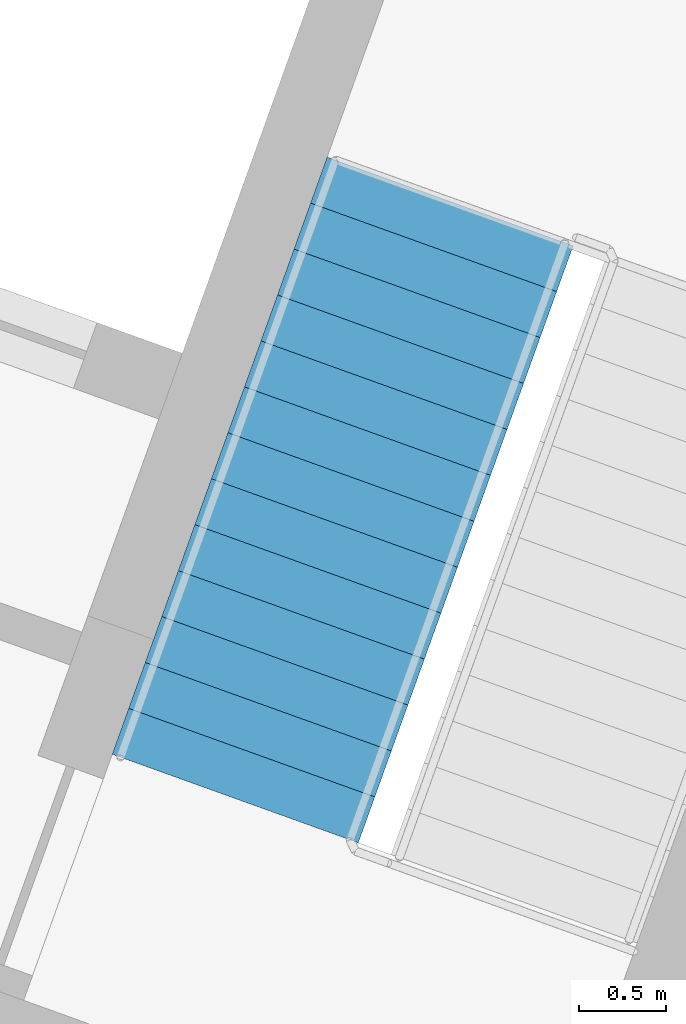
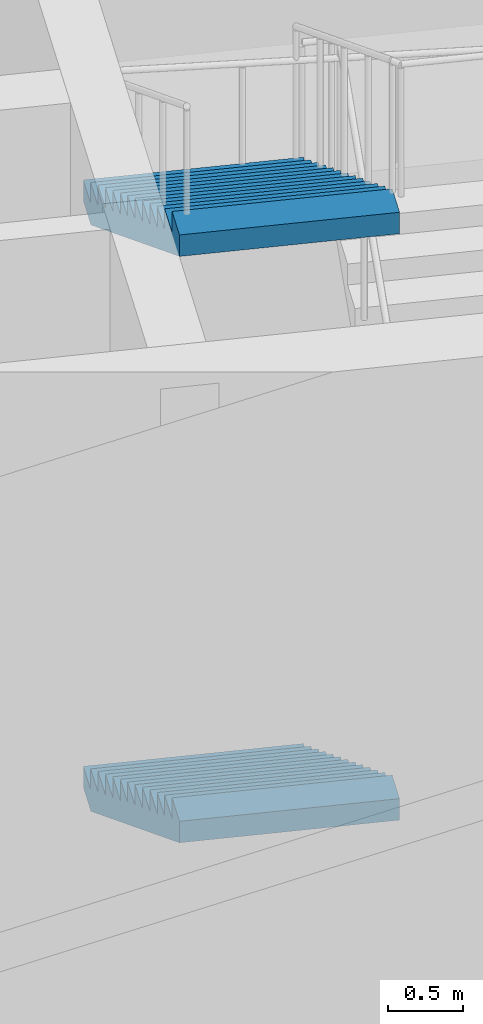
# One storey, part 17 of 20: 2 stair flights, 1 element without a shape of its own.
"""IFC4 building model written with IfcOpenShell, lengths in metres."""

from ifc_helpers import new_model, si_unit, direction, frame, origin, place, context, subcontext, project, spatial, polyline, outline, extrude, material, type_object, element, aggregate, save


model = new_model("IFC4")

# Units and contexts
model_context = context("Model", 3, precision=1e-05, world=origin(), true_north=direction((0.0, 1.0)))
body_context = subcontext(model_context, "Body", "Model", "MODEL_VIEW")
ifc_project = project(units=[si_unit("LENGTHUNIT", "METRE"), si_unit("AREAUNIT", "SQUARE_METRE"), si_unit("VOLUMEUNIT", "CUBIC_METRE"), si_unit("PLANEANGLEUNIT", "RADIAN"), si_unit("MASSUNIT", "GRAM", prefix="KILO")], contexts=[model_context])

# Site, building, storey
site_placement = place(None, origin())
site = spatial("IfcSite", under=ifc_project, at=site_placement, CompositionType="ELEMENT")
building_placement = place(site_placement, origin())
building = spatial("IfcBuilding", under=site, at=building_placement, Name="Stone Belt Terrace Tower", CompositionType="ELEMENT")
storey_placement = place(building_placement, frame((0.0, 0.0, 323.0)))
storey = spatial("IfcBuildingStorey", under=building, at=storey_placement, Name="L78", CompositionType="ELEMENT", Elevation=323.0)

# Stair, stair flights
ifc_material = material(Name="Concrete B40", Category="concrete")
stair_type = type_object("IfcStairType", Name="Exit stair 1500", PredefinedType="HALF_TURN_STAIR", material=ifc_material)
stair_placement = place(storey_placement, origin())
stair = element("IfcStair", 1, at=stair_placement, inside=storey, type_object=stair_type, Name="L78 Exit stair 1 core B", PredefinedType="HALF_TURN_STAIR")
stair_flight_type = type_object("IfcStairFlightType", Name="Stair flight 1500", PredefinedType="STRAIGHT", material=ifc_material)
stair_flight_1_placement = place(storey_placement, frame((24.785888671875, 48.93798828125, 2.39990234375), z_axis=(0.0, 0.0, 1.0), x_axis=(-0.338624396177, -0.940921632398, 0.0)))
stair_flight_1 = element("IfcStairFlight", 2, at=stair_flight_1_placement, type_object=stair_flight_type, Name="ST1B flight 2", NumberOfRisers=14, NumberOfTreads=13, PredefinedType="STRAIGHT", RiserHeight=0.171428571, TreadLength=0.28, context=body_context, shape_type="SweptSolid", body=[
    extrude(outline(polyline([(0.0, 0.0), (0.0, 0.17138671875), (0.280029296875, 0.17138671875), (0.280029296875, 0.3427734375), (0.56005859375, 0.3427734375), (0.56005859375, 0.514404296875), (0.840087890625, 0.514404296875), (0.840087890625, 0.685791015625), (1.1201171875, 0.685791015625), (1.1201171875, 0.857177734375), (1.39990234375, 0.857177734375), (1.39990234375, 1.028564453125), (1.679931640625, 1.028564453125), (1.679931640625, 1.199951171875), (1.9599609375, 1.199951171875), (1.9599609375, 1.371337890625), (2.239990234375, 1.371337890625), (2.239990234375, 1.54296875), (2.52001953125, 1.54296875), (2.52001953125, 1.71435546875), (2.800048828125, 1.71435546875), (2.800048828125, 1.8857421875), (3.080078125, 1.8857421875), (3.080078125, 2.05712890625), (3.360107421875, 2.05712890625), (3.360107421875, 2.228515625), (3.639892578125, 2.228515625), (3.639892578125, 2.39990234375), (3.639892578125, 2.052734375), (0.287109375, 0.0), (0.0, 0.0)])), frame((0.0, 0.75, 0.0), z_axis=(0.0, -1.0, 0.0), x_axis=(1.0, 0.0, 0.0)), (0.0, 0.0, 1.0), 1.5),
])
stair_flight_2_placement = place(storey_placement, frame((24.785888671875, 48.93798828125, 7.199951171875), z_axis=(0.0, 0.0, 1.0), x_axis=(-0.338624396177, -0.940921632398, 0.0)))
stair_flight_2 = element("IfcStairFlight", 3, at=stair_flight_2_placement, type_object=stair_flight_type, Name="ST1B flight 4", NumberOfRisers=14, NumberOfTreads=13, PredefinedType="STRAIGHT", RiserHeight=0.171428571, TreadLength=0.28, context=body_context, shape_type="SweptSolid", body=[
    extrude(outline(polyline([(0.0, 0.0), (0.0, 0.17138671875), (0.280029296875, 0.17138671875), (0.280029296875, 0.3427734375), (0.56005859375, 0.3427734375), (0.56005859375, 0.514404296875), (0.840087890625, 0.514404296875), (0.840087890625, 0.685791015625), (1.1201171875, 0.685791015625), (1.1201171875, 0.857177734375), (1.39990234375, 0.857177734375), (1.39990234375, 1.028564453125), (1.679931640625, 1.028564453125), (1.679931640625, 1.199951171875), (1.9599609375, 1.199951171875), (1.9599609375, 1.371337890625), (2.239990234375, 1.371337890625), (2.239990234375, 1.54296875), (2.52001953125, 1.54296875), (2.52001953125, 1.71435546875), (2.800048828125, 1.71435546875), (2.800048828125, 1.8857421875), (3.080078125, 1.8857421875), (3.080078125, 2.05712890625), (3.360107421875, 2.05712890625), (3.360107421875, 2.228515625), (3.639892578125, 2.228515625), (3.639892578125, 2.39990234375), (3.639892578125, 2.052734375), (0.287109375, 0.0), (0.0, 0.0)])), frame((0.0, 0.75, 0.0), z_axis=(0.0, -1.0, 0.0), x_axis=(1.0, 0.0, 0.0)), (0.0, 0.0, 1.0), 1.5),
])
aggregate(stair, [stair_flight_1, stair_flight_2])

save(model, "model.ifc")
